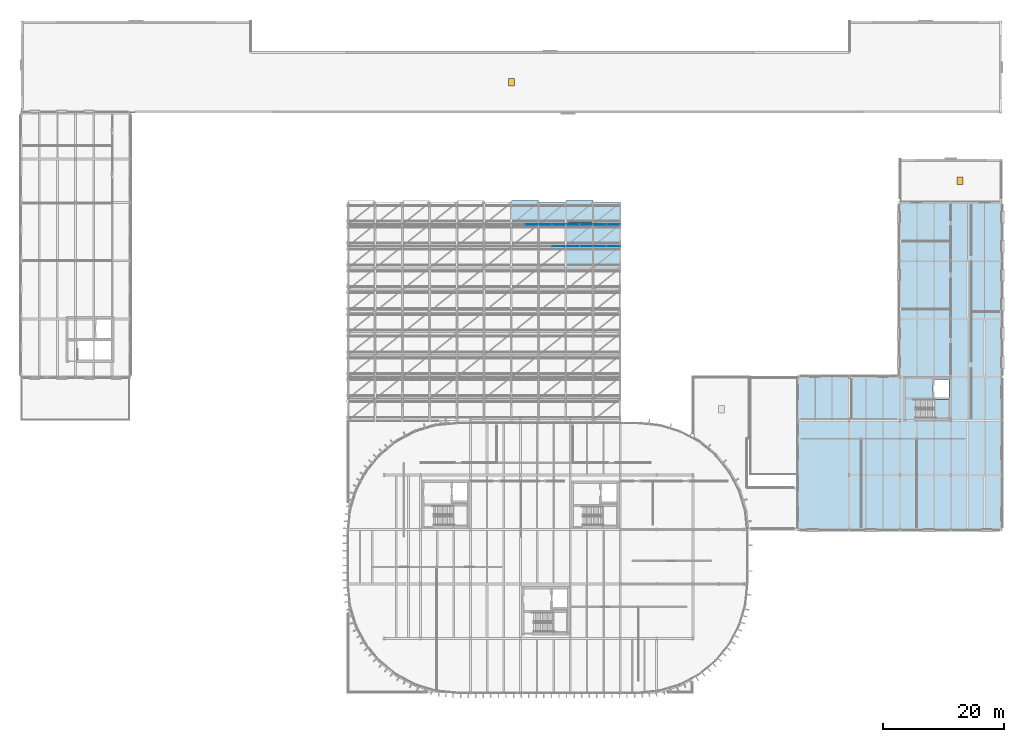
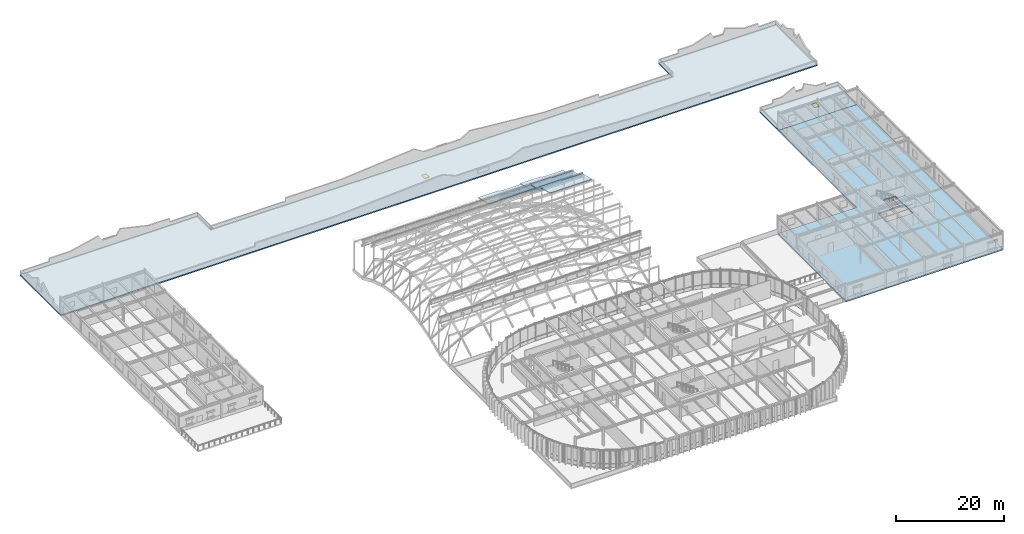
# One storey, part 48 of 69: 12 plates, 8 slabs, 2 doors, 4 openings, 8 elements without a shape of their own.
"""IFC4 building model written with IfcOpenShell, lengths in metres."""

from ifc_helpers import new_model, si_unit, direction, frame, origin, origin_2d, place, context, subcontext, project, spatial, polyline, rectangle, outline, extrude, material, layer, layer_set, type_object, element, fill, aggregate, save


model = new_model("IFC4")

# Units and contexts
model_context = context("Model", 3, precision=1e-05, world=origin(), true_north=direction((0.0, 1.0)))
body_context = subcontext(model_context, "Body", "Model", "MODEL_VIEW")
ifc_project = project(units=[si_unit("LENGTHUNIT", "METRE"), si_unit("AREAUNIT", "SQUARE_METRE"), si_unit("VOLUMEUNIT", "CUBIC_METRE"), si_unit("PLANEANGLEUNIT", "RADIAN"), si_unit("MASSUNIT", "GRAM", prefix="KILO")], contexts=[model_context])

# Site, building, storey
site_placement = place(None, origin())
site = spatial("IfcSite", under=ifc_project, at=site_placement, CompositionType="ELEMENT")
building_placement = place(site_placement, origin())
building = spatial("IfcBuilding", under=site, at=building_placement, Name="Montealbar Specialist Clinic", CompositionType="ELEMENT")
storey_placement = place(building_placement, frame((0.0, 0.0, 9.60009765625)))
storey = spatial("IfcBuildingStorey", under=building, at=storey_placement, Name="L02", CompositionType="ELEMENT", Elevation=9.60009765625)

# Curtain wall, plate
ifc_material_1 = material(Name="Low-E double glazing", Category="glass")
ifc_layer_1 = layer(ifc_material_1, 0.199951171875, Name="Low-E double glazing", Category="glass")
ifc_layer_set_1 = layer_set([ifc_layer_1], Name="Low-E double glazing")
curtain_wall_type_1 = type_object("IfcCurtainWallType", Name="CW-TYPE-48", PredefinedType="NOTDEFINED", material=ifc_layer_set_1)
curtain_wall_1_placement = place(storey_placement, origin())
curtain_wall_1 = element("IfcCurtainWall", 1, at=curtain_wall_1_placement, inside=storey, type_object=curtain_wall_type_1, Name="Unitised Curtain Wall CW-L02-810-738-900-738-196", PredefinedType="NOTDEFINED")
ifc_layer_2 = layer(ifc_material_1, 0.028076171875, Name="Low-E double glazing", Category="glass")
ifc_layer_set_2 = layer_set([ifc_layer_2], Name="Low-E double glazing")
plate_type = type_object("IfcPlateType", Name="CW-PNL-IGU28", PredefinedType="CURTAIN_PANEL", material=ifc_layer_set_2)
plate_1_placement = place(storey_placement, frame((88.875, 73.800048828125, 10.044921875), z_axis=(0.0, 0.0, 1.0), x_axis=(1.0, 0.0, 0.0)))
plate_1 = element("IfcPlate", 2, at=plate_1_placement, type_object=plate_type, Name="Glazed Curtain Panel CW-L02-810-738-900-738-196-4-1", PredefinedType="CURTAIN_PANEL", context=body_context, shape_type="SweptSolid", body=[
    extrude(rectangle(XDim=2.177978515625, YDim=0.028076171875, at=origin_2d()), origin(), (0.0, 0.0, 1.0), 0.6640625),
])
aggregate(curtain_wall_1, [plate_1])

# Curtain wall, plates
curtain_wall_2_placement = place(storey_placement, origin())
curtain_wall_2 = element("IfcCurtainWall", 3, at=curtain_wall_2_placement, inside=storey, type_object=curtain_wall_type_1, Name="Unitised Curtain Wall CW-L02-900-738-990-738-196", PredefinedType="NOTDEFINED")
plate_2_placement = place(storey_placement, frame((91.125, 73.800048828125, 10.044921875), z_axis=(0.0, 0.0, 1.0), x_axis=(1.0, 0.0, 0.0)))
plate_2 = element("IfcPlate", 4, at=plate_2_placement, type_object=plate_type, Name="Glazed Curtain Panel CW-L02-900-738-990-738-196-1-1", PredefinedType="CURTAIN_PANEL", context=body_context, shape_type="SweptSolid", body=[
    extrude(rectangle(XDim=2.177978515625, YDim=0.028076171875, at=origin_2d()), origin(), (0.0, 0.0, 1.0), 0.6640625),
])
plate_3_placement = place(storey_placement, frame((93.375, 73.800048828125, 10.044921875), z_axis=(0.0, 0.0, 1.0), x_axis=(1.0, 0.0, 0.0)))
plate_3 = element("IfcPlate", 5, at=plate_3_placement, type_object=plate_type, Name="Glazed Curtain Panel CW-L02-900-738-990-738-196-2-1", PredefinedType="CURTAIN_PANEL", context=body_context, shape_type="SweptSolid", body=[
    extrude(rectangle(XDim=2.177978515625, YDim=0.028076171875, at=origin_2d()), origin(), (0.0, 0.0, 1.0), 0.6640625),
])
plate_4_placement = place(storey_placement, frame((95.625, 73.800048828125, 10.044921875), z_axis=(0.0, 0.0, 1.0), x_axis=(1.0, 0.0, 0.0)))
plate_4 = element("IfcPlate", 6, at=plate_4_placement, type_object=plate_type, Name="Glazed Curtain Panel CW-L02-900-738-990-738-196-3-1", PredefinedType="CURTAIN_PANEL", context=body_context, shape_type="SweptSolid", body=[
    extrude(rectangle(XDim=2.177978515625, YDim=0.028076171875, at=origin_2d()), origin(), (0.0, 0.0, 1.0), 0.6640625),
])
plate_5_placement = place(storey_placement, frame((97.875, 73.800048828125, 10.044921875), z_axis=(0.0, 0.0, 1.0), x_axis=(1.0, 0.0, 0.0)))
plate_5 = element("IfcPlate", 7, at=plate_5_placement, type_object=plate_type, Name="Glazed Curtain Panel CW-L02-900-738-990-738-196-4-1", PredefinedType="CURTAIN_PANEL", context=body_context, shape_type="SweptSolid", body=[
    extrude(rectangle(XDim=2.177978515625, YDim=0.028076171875, at=origin_2d()), origin(), (0.0, 0.0, 1.0), 0.6640625),
])
aggregate(curtain_wall_2, [plate_2, plate_3, plate_4, plate_5])

ifc_layer_3 = layer(ifc_material_1, 0.199951171875, Name="Low-E double glazing", Category="glass")
ifc_layer_set_3 = layer_set([ifc_layer_3], Name="Low-E double glazing")
curtain_wall_type_2 = type_object("IfcCurtainWallType", Name="CW-TYPE-47", PredefinedType="NOTDEFINED", material=ifc_layer_set_3)
curtain_wall_3_placement = place(storey_placement, origin())
curtain_wall_3 = element("IfcCurtainWall", 8, at=curtain_wall_3_placement, inside=storey, type_object=curtain_wall_type_2, Name="Unitised Curtain Wall CW-L02-810-774-900-774-175", PredefinedType="NOTDEFINED")
plate_6_placement = place(storey_placement, frame((84.375, 77.39990234375, 8.00439453125), z_axis=(0.0, 0.0, 1.0), x_axis=(1.0, 0.0, 0.0)))
plate_6 = element("IfcPlate", 9, at=plate_6_placement, type_object=plate_type, Name="Glazed Curtain Panel CW-L02-810-774-900-774-175-2-1", PredefinedType="CURTAIN_PANEL", context=body_context, shape_type="SweptSolid", body=[
    extrude(rectangle(XDim=2.177978515625, YDim=0.028076171875, at=origin_2d()), origin(), (0.0, 0.0, 1.0), 1.116943359375),
])
plate_7_placement = place(storey_placement, frame((86.625, 77.39990234375, 8.00439453125), z_axis=(0.0, 0.0, 1.0), x_axis=(1.0, 0.0, 0.0)))
plate_7 = element("IfcPlate", 10, at=plate_7_placement, type_object=plate_type, Name="Glazed Curtain Panel CW-L02-810-774-900-774-175-3-1", PredefinedType="CURTAIN_PANEL", context=body_context, shape_type="SweptSolid", body=[
    extrude(rectangle(XDim=2.177978515625, YDim=0.028076171875, at=origin_2d()), origin(), (0.0, 0.0, 1.0), 1.116943359375),
])
plate_8_placement = place(storey_placement, frame((88.875, 77.39990234375, 8.00439453125), z_axis=(0.0, 0.0, 1.0), x_axis=(1.0, 0.0, 0.0)))
plate_8 = element("IfcPlate", 11, at=plate_8_placement, type_object=plate_type, Name="Glazed Curtain Panel CW-L02-810-774-900-774-175-4-1", PredefinedType="CURTAIN_PANEL", context=body_context, shape_type="SweptSolid", body=[
    extrude(rectangle(XDim=2.177978515625, YDim=0.028076171875, at=origin_2d()), origin(), (0.0, 0.0, 1.0), 1.116943359375),
])
aggregate(curtain_wall_3, [plate_6, plate_7, plate_8])

curtain_wall_4_placement = place(storey_placement, origin())
curtain_wall_4 = element("IfcCurtainWall", 12, at=curtain_wall_4_placement, inside=storey, type_object=curtain_wall_type_2, Name="Unitised Curtain Wall CW-L02-900-774-990-774-175", PredefinedType="NOTDEFINED")
plate_9_placement = place(storey_placement, frame((91.125, 77.39990234375, 8.00439453125), z_axis=(0.0, 0.0, 1.0), x_axis=(1.0, 0.0, 0.0)))
plate_9 = element("IfcPlate", 13, at=plate_9_placement, type_object=plate_type, Name="Glazed Curtain Panel CW-L02-900-774-990-774-175-1-1", PredefinedType="CURTAIN_PANEL", context=body_context, shape_type="SweptSolid", body=[
    extrude(rectangle(XDim=2.177978515625, YDim=0.028076171875, at=origin_2d()), origin(), (0.0, 0.0, 1.0), 1.116943359375),
])
plate_10_placement = place(storey_placement, frame((93.375, 77.39990234375, 8.00439453125), z_axis=(0.0, 0.0, 1.0), x_axis=(1.0, 0.0, 0.0)))
plate_10 = element("IfcPlate", 14, at=plate_10_placement, type_object=plate_type, Name="Glazed Curtain Panel CW-L02-900-774-990-774-175-2-1", PredefinedType="CURTAIN_PANEL", context=body_context, shape_type="SweptSolid", body=[
    extrude(rectangle(XDim=2.177978515625, YDim=0.028076171875, at=origin_2d()), origin(), (0.0, 0.0, 1.0), 1.116943359375),
])
plate_11_placement = place(storey_placement, frame((95.625, 77.39990234375, 8.00439453125), z_axis=(0.0, 0.0, 1.0), x_axis=(1.0, 0.0, 0.0)))
plate_11 = element("IfcPlate", 15, at=plate_11_placement, type_object=plate_type, Name="Glazed Curtain Panel CW-L02-900-774-990-774-175-3-1", PredefinedType="CURTAIN_PANEL", context=body_context, shape_type="SweptSolid", body=[
    extrude(rectangle(XDim=2.177978515625, YDim=0.028076171875, at=origin_2d()), origin(), (0.0, 0.0, 1.0), 1.116943359375),
])
plate_12_placement = place(storey_placement, frame((97.875, 77.39990234375, 8.00439453125), z_axis=(0.0, 0.0, 1.0), x_axis=(1.0, 0.0, 0.0)))
plate_12 = element("IfcPlate", 16, at=plate_12_placement, type_object=plate_type, Name="Glazed Curtain Panel CW-L02-900-774-990-774-175-4-1", PredefinedType="CURTAIN_PANEL", context=body_context, shape_type="SweptSolid", body=[
    extrude(rectangle(XDim=2.177978515625, YDim=0.028076171875, at=origin_2d()), origin(), (0.0, 0.0, 1.0), 1.116943359375),
])
aggregate(curtain_wall_4, [plate_9, plate_10, plate_11, plate_12])

# Slab, openings
ifc_material_2 = material(Name="Concrete C35/45", Category="concrete")
ifc_layer_4 = layer(ifc_material_2, 0.280029296875, Name="Concrete C35/45", Category="concrete")
ifc_layer_set_4 = layer_set([ifc_layer_4], Name="Concrete C35/45")
slab_type_1 = type_object("IfcSlabType", Name="SL-FLR-240", PredefinedType="FLOOR", material=ifc_layer_set_4)
slab_1_placement = place(storey_placement, frame((0.0, 0.0, -0.280029296875)))
slab_1 = element("IfcSlab", 17, at=slab_1_placement, inside=storey, type_object=slab_type_1, Name="Structural Slab L02 Wing 1", PredefinedType="FLOOR", context=body_context, shape_type="SweptSolid", body=[
    extrude(outline(polyline([(145.199951171875, 81.0), (162.0, 81.0), (162.0, 27.0), (128.39990234375, 27.0), (128.39990234375, 52.199951171875), (145.199951171875, 52.199951171875), (145.199951171875, 81.0)]), holes=[polyline([(147.75, 48.5), (147.75, 45.39990234375), (153.449951171875, 45.39990234375), (153.449951171875, 48.5), (147.75, 48.5)]), polyline([(150.697998046875, 51.802001953125), (150.697998046875, 48.798095703125), (153.302001953125, 48.798095703125), (153.302001953125, 51.802001953125), (150.697998046875, 51.802001953125)])]), origin(), (0.0, 0.0, 1.0), 0.280029296875),
])
opening_1_placement = place(slab_1_placement, frame((150.60009765625, 46.949951171875, -0.010009765625)))
element("IfcOpeningElement", 18, at=opening_1_placement, cuts=slab_1, Name="Opening STAIRVOID-C6-L02-1", PredefinedType="OPENING", context=body_context, shape_type="SweptSolid", body=[
    extrude(rectangle(XDim=5.696044921875, YDim=3.09619140625, at=origin_2d()), origin(), (0.0, 0.0, 1.0), 0.300048828125),
])
opening_2_placement = place(slab_1_placement, frame((152.0, 50.300048828125, -0.010009765625)))
element("IfcOpeningElement", 19, at=opening_2_placement, cuts=slab_1, Name="Opening LIFTSHAFT-LF-04-L02", PredefinedType="OPENING", context=body_context, shape_type="SweptSolid", body=[
    extrude(rectangle(XDim=2.60009765625, YDim=3.0, at=origin_2d()), origin(), (0.0, 0.0, 1.0), 0.300048828125),
])

# Roof, slabs
ifc_material_3 = material(Name="Glulam GL28h", Category="wood")
roof_type_1 = type_object("IfcRoofType", Name="ROOF-GRIDSHELL", PredefinedType="BARREL_ROOF", material=ifc_material_3)
roof_1_placement = place(storey_placement, origin())
roof_1 = element("IfcRoof", 20, at=roof_1_placement, inside=storey, type_object=roof_type_1, Name="Treatment Hall translational gridshell barrel vault roof", PredefinedType="BARREL_ROOF")
ifc_material_4 = material(Name="Precast concrete C40/50", Category="concrete")
ifc_layer_5 = layer(ifc_material_4, 0.159912109375, Name="Precast concrete C40/50", Category="concrete")
ifc_layer_set_5 = layer_set([ifc_layer_5], Name="Precast concrete C40/50")
slab_type_2 = type_object("IfcSlabType", Name="SL-ROOF-160", PredefinedType="ROOF", material=ifc_layer_set_5)
slab_2_placement = place(storey_placement, frame((90.0, 70.199951171875, 11.642822265625), z_axis=(2.2057521e-05, 0.23331831888, 0.97240041217), x_axis=(0.999999999757, -5.146424e-06, -2.1448743e-05)))
slab_2 = element("IfcSlab", 21, at=slab_2_placement, type_object=slab_type_2, Name="Gridshell Sloped Roof Panel 8-5", PredefinedType="ROOF", context=body_context, shape_type="SweptSolid", body=[
    extrude(outline(polyline([(0.0, 0.0), (8.999999997810596, 0.0), (9.000000002189404, 3.7023266631017844), (4.500000003284106, 3.7023266631017844), (4.4999999945264895, 4.072308659232904), (-4.3788082904252644e-09, 4.072308659232904), (0.0, 0.0)])), origin(), (0.0, 0.0, -1.0), 0.159912109375),
])
slab_3_placement = place(storey_placement, frame((90.0, 73.800048828125, 10.054931640625), z_axis=(2.5372802e-05, 0.233325443566, 0.97239870256), x_axis=(0.999999999678, -5.92012e-06, -2.467248e-05)))
slab_3 = element("IfcSlab", 22, at=slab_3_placement, type_object=slab_type_2, Name="Gridshell Sloped Roof Panel 9-5", PredefinedType="ROOF", context=body_context, shape_type="SweptSolid", body=[
    extrude(outline(polyline([(0.0, 0.0), (8.999999997102995, 0.0), (9.000000002897005, 3.702089262429863), (4.50000000434551, 3.702089262429863), (4.499999992757485, 4.07230865766907), (-5.794011813483235e-09, 4.07230865766907), (0.0, 0.0)])), origin(), (0.0, 0.0, -1.0), 0.159912109375),
])
slab_4_placement = place(storey_placement, frame((81.0, 77.39990234375, 8.013916015625), z_axis=(2.5071414e-05, 0.233311194581, 0.972402121478), x_axis=(0.999999999686, -5.849442e-06, -2.4379497e-05)))
slab_4 = element("IfcSlab", 23, at=slab_4_placement, type_object=slab_type_2, Name="Gridshell Sloped Roof Panel 10-4", PredefinedType="ROOF", context=body_context, shape_type="SweptSolid", body=[
    extrude(outline(polyline([(0.0, 0.0), (8.99999999717141, 0.0), (9.00000000282859, 3.7023266615479815), (4.500000004242887, 3.7023266615479815), (4.499999992928522, 4.072546063439808), (-5.657182415231334e-09, 4.072546063439808), (0.0, 0.0)])), origin(), (0.0, 0.0, -1.0), 0.159912109375),
])
slab_5_placement = place(storey_placement, frame((90.0, 77.39990234375, 8.013916015625), z_axis=(2.5071414e-05, 0.233311194581, 0.972402121478), x_axis=(0.999999999686, -5.849442e-06, -2.4379497e-05)))
slab_5 = element("IfcSlab", 24, at=slab_5_placement, type_object=slab_type_2, Name="Gridshell Sloped Roof Panel 10-5", PredefinedType="ROOF", context=body_context, shape_type="SweptSolid", body=[
    extrude(outline(polyline([(0.0, 0.0), (8.99999999717141, 0.0), (9.00000000282859, 3.7023266615479815), (4.500000004242887, 3.7023266615479815), (4.499999992928522, 4.072546063439808), (-5.657182415231334e-09, 4.072546063439808), (0.0, 0.0)])), origin(), (0.0, 0.0, -1.0), 0.159912109375),
])
aggregate(roof_1, [slab_2, slab_3, slab_4, slab_5])

# Roof, slab, opening, door
ifc_material_5 = material(Name="Weatherproof roofing membrane", Category="concrete")
roof_type_2 = type_object("IfcRoofType", Name="ROOF-CONT-FLAT", PredefinedType="FLAT_ROOF", material=ifc_material_5)
roof_2_placement = place(storey_placement, origin())
roof_2 = element("IfcRoof", 25, at=roof_2_placement, inside=storey, type_object=roof_type_2, Name="Flat Roof Assembly ROOF-L02-01", PredefinedType="FLAT_ROOF")
ifc_layer_6 = layer(ifc_material_2, 0.27001953125, Name="Concrete C35/45", Category="concrete")
ifc_layer_set_6 = layer_set([ifc_layer_6], Name="Concrete C35/45")
slab_type_3 = type_object("IfcSlabType", Name="SL-ROOF-220", PredefinedType="ROOF", material=ifc_layer_set_6)
slab_6_placement = place(storey_placement, frame((0.0, 0.0, -0.27001953125)))
slab_6 = element("IfcSlab", 26, at=slab_6_placement, type_object=slab_type_3, Name="Roof Slab ROOF-L02-01", PredefinedType="ROOF", context=body_context, shape_type="SweptSolid", body=[
    extrude(outline(polyline([(38.0, 106.0), (136.800048828125, 106.0), (136.800048828125, 111.0), (162.0, 111.0), (162.0, 95.800048828125), (0.0, 95.800048828125), (0.0, 111.0), (38.0, 111.0), (38.0, 106.0)]), holes=[polyline([(81.489990234375, 101.489990234375), (80.510009765625, 101.489990234375), (80.510009765625, 100.31005859375), (81.489990234375, 100.31005859375), (81.489990234375, 101.489990234375)])]), origin(), (0.0, 0.0, 1.0), 0.27001953125),
])
opening_3_placement = place(slab_6_placement, frame((81.0, 100.89990234375, -0.010009765625)))
opening_3 = element("IfcOpeningElement", 27, at=opening_3_placement, cuts=slab_6, Name="Opening HT-01", PredefinedType="OPENING", context=body_context, shape_type="SweptSolid", body=[
    extrude(rectangle(XDim=1.0, YDim=1.199951171875, at=origin_2d()), origin(), (0.0, 0.0, 1.0), 0.2900390625),
])
ifc_material_6 = material(Name="Powder-coated aluminium", Category="aluminium")
door_type = type_object("IfcDoorType", Name="DR-HATCH-RF01", OperationType="SINGLE_SWING_LEFT", PredefinedType="TRAPDOOR", material=ifc_material_6)
door_1_placement = place(slab_6_placement, frame((81.0, 100.89990234375, 0.219970703125)))
door_1 = element("IfcDoor", 28, at=door_1_placement, inside=storey, type_object=door_type, Name="Roof Maintenance Access Hatch HT-06", OperationType="SINGLE_SWING_LEFT", OverallHeight=1.199951171875, OverallWidth=1.0, PredefinedType="TRAPDOOR", context=body_context, shape_type="SweptSolid", body=[
    extrude(rectangle(XDim=1.0, YDim=1.199951171875, at=origin_2d()), origin(), (0.0, 0.0, 1.0), 0.050048828125),
])
fill(opening_3, door_1)
aggregate(roof_2, [slab_6])

roof_3_placement = place(storey_placement, origin())
roof_3 = element("IfcRoof", 29, at=roof_3_placement, inside=storey, type_object=roof_type_2, Name="Flat Roof Assembly ROOF-L02-02", PredefinedType="FLAT_ROOF")
slab_7_placement = place(storey_placement, frame((0.0, 0.0, -0.27001953125)))
slab_7 = element("IfcSlab", 30, at=slab_7_placement, type_object=slab_type_3, Name="Roof Slab ROOF-L02-02", PredefinedType="ROOF", context=body_context, shape_type="SweptSolid", body=[
    extrude(outline(polyline([(145.199951171875, 81.0), (145.199951171875, 88.199951171875), (162.0, 88.199951171875), (162.0, 81.0), (145.199951171875, 81.0)]), holes=[polyline([(155.590087890625, 85.18994140625), (154.610107421875, 85.18994140625), (154.610107421875, 84.010009765625), (155.590087890625, 84.010009765625), (155.590087890625, 85.18994140625)])]), origin(), (0.0, 0.0, 1.0), 0.27001953125),
])
opening_4_placement = place(slab_7_placement, frame((155.10009765625, 84.60009765625, -0.010009765625)))
opening_4 = element("IfcOpeningElement", 31, at=opening_4_placement, cuts=slab_7, Name="Opening HT-01", PredefinedType="OPENING", context=body_context, shape_type="SweptSolid", body=[
    extrude(rectangle(XDim=1.0, YDim=1.199951171875, at=origin_2d()), origin(), (0.0, 0.0, 1.0), 0.2900390625),
])
door_2_placement = place(slab_7_placement, frame((155.10009765625, 84.60009765625, 0.219970703125)))
door_2 = element("IfcDoor", 32, at=door_2_placement, inside=storey, type_object=door_type, Name="Roof Maintenance Access Hatch HT-07", OperationType="SINGLE_SWING_LEFT", OverallHeight=1.199951171875, OverallWidth=1.0, PredefinedType="TRAPDOOR", context=body_context, shape_type="SweptSolid", body=[
    extrude(rectangle(XDim=1.0, YDim=1.199951171875, at=origin_2d()), origin(), (0.0, 0.0, 1.0), 0.050048828125),
])
fill(opening_4, door_2)
aggregate(roof_3, [slab_7])

# Stair, slab
stair_type = type_object("IfcStairType", Name="STAIR-HT-08", PredefinedType="HALF_TURN_STAIR", material=ifc_material_2)
stair_placement = place(storey_placement, origin())
stair = element("IfcStair", 33, at=stair_placement, inside=storey, type_object=stair_type, Name="L02 Protected Exit Stair Core C6", PredefinedType="HALF_TURN_STAIR")
ifc_layer_7 = layer(ifc_material_2, 0.199951171875, Name="Concrete C35/45", Category="concrete")
ifc_layer_set_7 = layer_set([ifc_layer_7], Name="Concrete C35/45")
slab_type_4 = type_object("IfcSlabType", Name="SL-STAIR-LAND-200", PredefinedType="LANDING", material=ifc_layer_set_7)
slab_8_placement = place(storey_placement, frame((0.0, 0.0, 1.89990234375)))
slab_8 = element("IfcSlab", 34, at=slab_8_placement, type_object=slab_type_4, Name="ST-06 landing 1", PredefinedType="LANDING", context=body_context, shape_type="SweptSolid", body=[
    extrude(outline(polyline([(150.885009765625, 45.39990234375), (153.449951171875, 45.39990234375), (153.449951171875, 48.5), (150.885009765625, 48.5), (150.885009765625, 45.39990234375)])), origin(), (0.0, 0.0, 1.0), 0.199951171875),
])
aggregate(stair, [slab_8])

save(model, "model.ifc")
